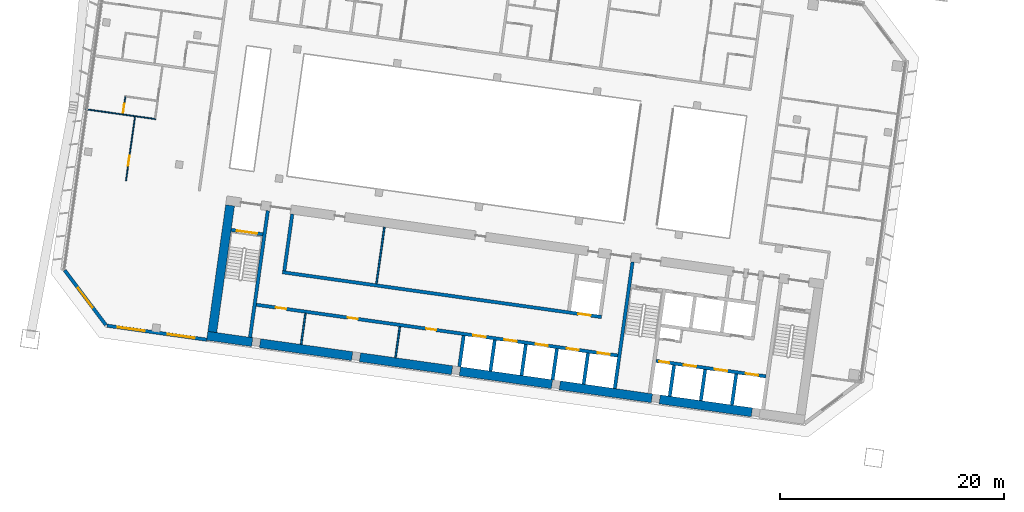
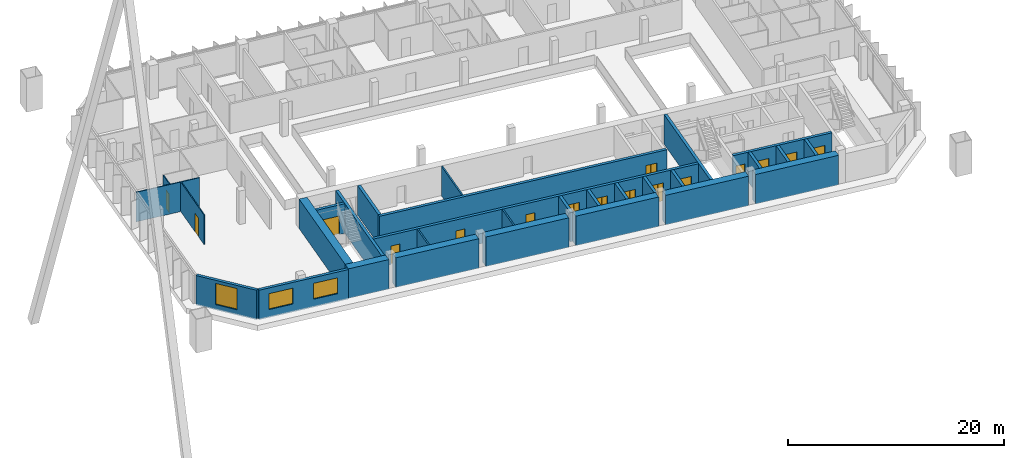
# One storey, part 21 of 33: 30 walls, 16 doors, 3 windows, 19 openings.
"""IFC4 building model written with IfcOpenShell, lengths in metres."""

from ifc_helpers import new_model, si_unit, direction, frame, frame_2d, origin, place, context, subcontext, project, spatial, rectangle, extrude, material, layer, layer_set, type_object, element, fill, save


model = new_model("IFC4")

# Units and contexts
model_context = context("Model", 3, precision=1e-05, world=origin(), true_north=direction((0.0, 1.0)))
body_context = subcontext(model_context, "Body", "Model", "MODEL_VIEW")
ifc_project = project(units=[si_unit("LENGTHUNIT", "METRE"), si_unit("AREAUNIT", "SQUARE_METRE"), si_unit("VOLUMEUNIT", "CUBIC_METRE"), si_unit("PLANEANGLEUNIT", "RADIAN"), si_unit("MASSUNIT", "GRAM", prefix="KILO")], contexts=[model_context])

# Site, building, storey
site_placement = place(None, origin())
site = spatial("IfcSite", under=ifc_project, at=site_placement, CompositionType="ELEMENT")
building_placement = place(site_placement, origin())
building = spatial("IfcBuilding", under=site, at=building_placement, Name="Mirante Cascada Hotel Towers", CompositionType="ELEMENT")
storey_placement = place(building_placement, frame((0.0, 0.0, 121.5)))
storey = spatial("IfcBuildingStorey", under=building, at=storey_placement, Name="L27", CompositionType="ELEMENT", Elevation=121.5)

# Walls
ifc_material_1 = material(Name="Masonry block", Category="masonry")
ifc_layer_1 = layer(ifc_material_1, 0.15)
ifc_layer_set_1 = layer_set([ifc_layer_1], Name="Core room partition 150 block EI 30")
wall_type_1 = type_object("IfcWallType", Name="Core room partition 150 block EI 30", PredefinedType="PARTITIONING", material=ifc_layer_set_1)
wall_1_placement = place(storey_placement, frame((-73.6152, -14.1482, 0.0), z_axis=(0.0, 0.0, 1.0), x_axis=(0.139176, 0.9902677, 0.0)))
element("IfcWall", 1, at=wall_1_placement, inside=storey, type_object=wall_type_1, Name="Core wall partition T1 L27 5", PredefinedType="PARTITIONING", context=body_context, shape_type="SweptSolid", body=[
    extrude(rectangle(XDim=2.8001, YDim=0.15, at=frame_2d((1.4, 0.0))), origin(), (0.0, 0.0, 1.0), 3.35),
])
wall_2_placement = place(storey_placement, frame((-82.0324, -12.9652, 0.0), z_axis=(0.0, 0.0, 1.0), x_axis=(0.139141, 0.9902726, 0.0)))
element("IfcWall", 2, at=wall_2_placement, inside=storey, type_object=wall_type_1, Name="Core wall partition T1 L27 6", PredefinedType="PARTITIONING", context=body_context, shape_type="SweptSolid", body=[
    extrude(rectangle(XDim=2.8, YDim=0.15, at=frame_2d((1.4, 0.0))), origin(), (0.0, 0.0, 1.0), 3.35),
])
wall_3_placement = place(storey_placement, frame((-75.3131, -7.5476, 0.0), z_axis=(0.0, 0.0, 1.0), x_axis=(0.1391782, 0.9902673, 0.0)))
element("IfcWall", 3, at=wall_3_placement, inside=storey, type_object=wall_type_1, Name="Core wall partition T1 L27 7", PredefinedType="PARTITIONING", context=body_context, shape_type="SweptSolid", body=[
    extrude(rectangle(XDim=5.0999, YDim=0.15, at=frame_2d((2.55, 0.0))), origin(), (0.0, 0.0, 1.0), 3.35),
])
ifc_material_2 = material(Name="Plasterboard on metal studs")
ifc_layer_2 = layer(ifc_material_2, 0.1)
ifc_layer_set_2 = layer_set([ifc_layer_2], Name="Partition 100")
wall_type_2 = type_object("IfcWallType", Name="Partition 100", PredefinedType="PARTITIONING", material=ifc_layer_set_2)
wall_4_placement = place(storey_placement, frame((-95.0111, 7.1367, 0.0), z_axis=(0.0, 0.0, 1.0), x_axis=(-0.990267, 0.139181, 0.0)))
element("IfcWall", 4, at=wall_4_placement, inside=storey, type_object=wall_type_2, Name="Wall 1-L27-04", PredefinedType="PARTITIONING", context=body_context, shape_type="SweptSolid", body=[
    extrude(rectangle(XDim=6.35, YDim=0.1, at=frame_2d((3.175, 0.0))), origin(), (0.0, 0.0, 1.0), 3.35),
])

# Wall, opening, door
wall_5_placement = place(storey_placement, frame((-97.6503, 1.6506, 0.0), z_axis=(0.0, 0.0, 1.0), x_axis=(0.139164, 0.9902694, 0.0)))
wall_5 = element("IfcWall", 5, at=wall_5_placement, inside=storey, type_object=wall_type_2, Name="Wall 1-L27-60", PredefinedType="PARTITIONING", context=body_context, shape_type="SweptSolid", body=[
    extrude(rectangle(XDim=5.7501, YDim=0.1, at=frame_2d((2.875, 0.0))), origin(), (0.0, 0.0, 1.0), 3.35),
])
opening_1_placement = place(wall_5_placement, frame((1.3333, 0.0, 0.0)))
opening_1 = element("IfcOpeningElement", 6, at=opening_1_placement, cuts=wall_5, Name="Opening D1-L27-39", PredefinedType="OPENING", context=body_context, shape_type="SweptSolid", body=[
    extrude(rectangle(XDim=0.9, YDim=2.1, at=frame_2d((0.45, 1.05))), frame((0.0, 0.05, 0.0), z_axis=(0.0, -1.0, 0.0), x_axis=(1.0, 0.0, 0.0)), (0.0, 0.0, 1.0), 0.1),
])
ifc_material_3 = material(Name="Timber door leaf", Category="wood")
door_type_1 = type_object("IfcDoorType", Name="Room door DG3 900x2100", OperationType="SINGLE_SWING_LEFT", PredefinedType="DOOR", material=ifc_material_3)
door_1_placement = place(opening_1_placement, frame((0.9, 0.0, 0.0), z_axis=(0.0, 0.0, 1.0), x_axis=(-1.0, 0.0, 0.0)))
door_1 = element("IfcDoor", 7, at=door_1_placement, inside=storey, type_object=door_type_1, Name="Door D1-L27-39", OperationType="SINGLE_SWING_RIGHT", OverallHeight=2.1, OverallWidth=0.9, PredefinedType="DOOR", context=body_context, shape_type="SweptSolid", body=[
    extrude(rectangle(XDim=0.9, YDim=2.1, at=frame_2d((0.45, 1.05))), frame((0.0, 0.025, 0.0), z_axis=(0.0, -1.0, 0.0), x_axis=(1.0, 0.0, 0.0)), (0.0, 0.0, 1.0), 0.05),
])
fill(opening_1, door_1)

wall_6_placement = place(storey_placement, frame((-97.9254, 7.5968, 0.0), z_axis=(0.0, 0.0, 1.0), x_axis=(0.1391749, 0.9902678, 0.0)))
wall_6 = element("IfcWall", 8, at=wall_6_placement, inside=storey, type_object=wall_type_2, Name="Wall 1-L27-62", PredefinedType="PARTITIONING", context=body_context, shape_type="SweptSolid", body=[
    extrude(rectangle(XDim=1.5333, YDim=0.1, at=frame_2d((0.7667, 0.0))), origin(), (0.0, 0.0, 1.0), 3.35),
])
opening_2_placement = place(wall_6_placement, frame((0.1, 0.0, 0.0)))
opening_2 = element("IfcOpeningElement", 9, at=opening_2_placement, cuts=wall_6, Name="Opening D1-L27-41", PredefinedType="OPENING", context=body_context, shape_type="SweptSolid", body=[
    extrude(rectangle(XDim=0.8, YDim=2.1, at=frame_2d((0.4, 1.05))), frame((0.0, 0.05, 0.0), z_axis=(0.0, -1.0, 0.0), x_axis=(1.0, 0.0, 0.0)), (0.0, 0.0, 1.0), 0.1),
])
ifc_material_4 = material(Name="Timber door leaf", Category="wood")
door_type_2 = type_object("IfcDoorType", Name="Bathroom door DG4 800x2100", OperationType="SINGLE_SWING_LEFT", PredefinedType="DOOR", material=ifc_material_4)
door_2_placement = place(opening_2_placement, origin())
door_2 = element("IfcDoor", 10, at=door_2_placement, inside=storey, type_object=door_type_2, Name="Door D1-L27-41", OperationType="SINGLE_SWING_LEFT", OverallHeight=2.1, OverallWidth=0.8, PredefinedType="DOOR", context=body_context, shape_type="SweptSolid", body=[
    extrude(rectangle(XDim=0.8, YDim=2.1, at=frame_2d((0.4, 1.05))), frame((0.0, 0.025, 0.0), z_axis=(0.0, -1.0, 0.0), x_axis=(1.0, 0.0, 0.0)), (0.0, 0.0, 1.0), 0.05),
])
fill(opening_2, door_2)

# Wall, openings, windows
ifc_material_5 = material(Name="Precast concrete C40/50", Category="concrete")
ifc_layer_3 = layer(ifc_material_5, 0.3)
ifc_layer_set_3 = layer_set([ifc_layer_3], Name="Precast concrete C40/50 cladding wall 300")
wall_type_3 = type_object("IfcWallType", Name="Precast concrete C40/50 cladding wall 300", PredefinedType="STANDARD", material=ifc_layer_set_3)
wall_7_placement = place(storey_placement, frame((-90.4551, -12.5388, 0.0), z_axis=(0.0, 0.0, 1.0), x_axis=(-0.9902678, 0.1391749, 0.0)))
wall_7 = element("IfcWall", 11, at=wall_7_placement, inside=storey, type_object=wall_type_3, Name="Rear cladding wall T1 L27 1", PredefinedType="STANDARD", context=body_context, shape_type="SweptSolid", body=[
    extrude(rectangle(XDim=8.9758, YDim=0.3, at=frame_2d((4.4879, 0.0))), origin(), (0.0, 0.0, 1.0), 3.35),
])
opening_3_placement = place(wall_7_placement, frame((1.1012, 0.0, 0.9)))
opening_3 = element("IfcOpeningElement", 12, at=opening_3_placement, cuts=wall_7, Name="Opening W1-27-01", PredefinedType="OPENING", context=body_context, shape_type="SweptSolid", body=[
    extrude(rectangle(XDim=2.4, YDim=1.8, at=frame_2d((1.2, 0.9))), frame((0.0, 0.15, 0.0), z_axis=(0.0, -1.0, 0.0), x_axis=(1.0, 0.0, 0.0)), (0.0, 0.0, 1.0), 0.3),
])
opening_4_placement = place(wall_7_placement, frame((5.5923, 0.0, 0.9)))
opening_4 = element("IfcOpeningElement", 13, at=opening_4_placement, cuts=wall_7, Name="Opening W1-27-02", PredefinedType="OPENING", context=body_context, shape_type="SweptSolid", body=[
    extrude(rectangle(XDim=2.4, YDim=1.8, at=frame_2d((1.2, 0.9))), frame((0.0, 0.15, 0.0), z_axis=(0.0, -1.0, 0.0), x_axis=(1.0, 0.0, 0.0)), (0.0, 0.0, 1.0), 0.3),
])
ifc_material_6 = material(Name="Aluminium frame with clear double glazing", Category="aluminium")
window_type_1 = type_object("IfcWindowType", Name="Punched window 2400x1800", PartitioningType="DOUBLE_PANEL_VERTICAL", PredefinedType="WINDOW", material=ifc_material_6)
window_1_placement = place(opening_3_placement, origin())
window_1 = element("IfcWindow", 14, at=window_1_placement, inside=storey, type_object=window_type_1, Name="Window W1-27-01", OverallHeight=1.8, OverallWidth=2.4, PartitioningType="SINGLE_PANEL", PredefinedType="WINDOW", context=body_context, shape_type="SweptSolid", body=[
    extrude(rectangle(XDim=2.4, YDim=1.8, at=frame_2d((1.2, 0.9))), frame((0.0, 0.03, 0.0), z_axis=(0.0, -1.0, 0.0), x_axis=(1.0, 0.0, 0.0)), (0.0, 0.0, 1.0), 0.06),
])
fill(opening_3, window_1)
window_2_placement = place(opening_4_placement, origin())
window_2 = element("IfcWindow", 15, at=window_2_placement, inside=storey, type_object=window_type_1, Name="Window W1-27-02", OverallHeight=1.8, OverallWidth=2.4, PartitioningType="SINGLE_PANEL", PredefinedType="WINDOW", context=body_context, shape_type="SweptSolid", body=[
    extrude(rectangle(XDim=2.4, YDim=1.8, at=frame_2d((1.2, 0.9))), frame((0.0, 0.03, 0.0), z_axis=(0.0, -1.0, 0.0), x_axis=(1.0, 0.0, 0.0)), (0.0, 0.0, 1.0), 0.06),
])
fill(opening_4, window_2)

# Wall, opening, window
wall_8_placement = place(storey_placement, frame((-99.4424, -11.2313, 0.0), z_axis=(0.0, 0.0, 1.0), x_axis=(-0.6018194, 0.7986322, 0.0)))
wall_8 = element("IfcWall", 16, at=wall_8_placement, inside=storey, type_object=wall_type_3, Name="Corner cladding wall T1 L27 rear outer", PredefinedType="STANDARD", context=body_context, shape_type="SweptSolid", body=[
    extrude(rectangle(XDim=6.1155, YDim=0.3, at=frame_2d((3.0578, 0.0))), origin(), (0.0, 0.0, 1.0), 3.35),
])
opening_5_placement = place(wall_8_placement, frame((1.9576, 0.0, 0.6)))
opening_5 = element("IfcOpeningElement", 17, at=opening_5_placement, cuts=wall_8, Name="Opening W1-27-03", PredefinedType="OPENING", context=body_context, shape_type="SweptSolid", body=[
    extrude(rectangle(XDim=2.2, YDim=2.4, at=frame_2d((1.1, 1.2))), frame((0.0, 0.15, 0.0), z_axis=(0.0, -1.0, 0.0), x_axis=(1.0, 0.0, 0.0)), (0.0, 0.0, 1.0), 0.3),
])
ifc_material_7 = material(Name="Aluminium frame with clear double glazing", Category="aluminium")
window_type_2 = type_object("IfcWindowType", Name="Corner suite window 2200x2400", PartitioningType="DOUBLE_PANEL_VERTICAL", PredefinedType="WINDOW", material=ifc_material_7)
window_3_placement = place(opening_5_placement, origin())
window_3 = element("IfcWindow", 18, at=window_3_placement, inside=storey, type_object=window_type_2, Name="Window W1-27-03", OverallHeight=2.4, OverallWidth=2.2, PartitioningType="SINGLE_PANEL", PredefinedType="WINDOW", context=body_context, shape_type="SweptSolid", body=[
    extrude(rectangle(XDim=2.2, YDim=2.4, at=frame_2d((1.1, 1.2))), frame((0.0, 0.03, 0.0), z_axis=(0.0, -1.0, 0.0), x_axis=(1.0, 0.0, 0.0)), (0.0, 0.0, 1.0), 0.06),
])
fill(opening_5, window_3)

# Walls
ifc_material_8 = material(Name="Concrete C50/60", Category="concrete")
ifc_layer_4 = layer(ifc_material_8, 0.3)
ifc_layer_set_4 = layer_set([ifc_layer_4], Name="RC core wall 300 C50/60")
wall_type_4 = type_object("IfcWallType", Name="RC core wall 300 C50/60", PredefinedType="SHEAR", material=ifc_layer_set_4)
wall_9_placement = place(storey_placement, frame((-54.0574, -16.8968, 0.0), z_axis=(0.0, 0.0, 1.0), x_axis=(0.1391761, 0.9902677, 0.0)))
element("IfcWall", 19, at=wall_9_placement, inside=storey, type_object=wall_type_4, Name="Core wall T1:L27:7", PredefinedType="SHEAR", context=body_context, shape_type="SweptSolid", body=[
    extrude(rectangle(XDim=11.3999, YDim=0.3, at=frame_2d((5.7, 0.0))), origin(), (0.0, 0.0, 1.0), 3.35),
])
wall_10_placement = place(storey_placement, frame((-86.5877, -12.325, 0.0), z_axis=(0.0, 0.0, 1.0), x_axis=(0.1391749, 0.9902678, 0.0)))
element("IfcWall", 20, at=wall_10_placement, inside=storey, type_object=wall_type_4, Name="Core wall T1:L27:8", PredefinedType="SHEAR", context=body_context, shape_type="SweptSolid", body=[
    extrude(rectangle(XDim=11.4, YDim=0.3, at=frame_2d((5.7, 0.0))), origin(), (0.0, 0.0, 1.0), 3.35),
])

# Wall, opening, door
wall_11_placement = place(storey_placement, frame((-85.4489, -3.1441, 0.0), z_axis=(0.0, 0.0, 1.0), x_axis=(-0.9902697, 0.1391613, 0.0)))
wall_11 = element("IfcWall", 21, at=wall_11_placement, inside=storey, type_object=wall_type_4, Name="Core wall T1:L27:11", PredefinedType="SHEAR", context=body_context, shape_type="SweptSolid", body=[
    extrude(rectangle(XDim=2.8499, YDim=0.3, at=frame_2d((1.425, 0.0))), origin(), (0.0, 0.0, 1.0), 3.35),
])
opening_6_placement = place(wall_11_placement, frame((0.525, 0.0, 0.0)))
opening_6 = element("IfcOpeningElement", 22, at=opening_6_placement, cuts=wall_11, Name="Opening D1-27-C17", PredefinedType="OPENING", context=body_context, shape_type="SweptSolid", body=[
    extrude(rectangle(XDim=1.8, YDim=2.1, at=frame_2d((0.9, 1.05))), frame((0.0, 0.15, 0.0), z_axis=(0.0, -1.0, 0.0), x_axis=(1.0, 0.0, 0.0)), (0.0, 0.0, 1.0), 0.3),
])
ifc_material_9 = material(Name="Hollow metal fire door leaf")
door_type_3 = type_object("IfcDoorType", Name="Double fire door 1800x2100 FD60", OperationType="DOUBLE_DOOR_SINGLE_SWING", PredefinedType="DOOR", material=ifc_material_9)
door_3_placement = place(opening_6_placement, origin())
door_3 = element("IfcDoor", 23, at=door_3_placement, inside=storey, type_object=door_type_3, Name="Stair door T1 L27 17", OperationType="DOUBLE_DOOR_SINGLE_SWING", OverallHeight=2.1, OverallWidth=1.8, PredefinedType="DOOR", context=body_context, shape_type="SweptSolid", body=[
    extrude(rectangle(XDim=0.895, YDim=2.1, at=frame_2d((0.4475, 1.05))), frame((0.0, 0.025, 0.0), z_axis=(0.0, -1.0, 0.0), x_axis=(1.0, 0.0, 0.0)), (0.0, 0.0, 1.0), 0.05),
    extrude(rectangle(XDim=0.895, YDim=2.1, at=frame_2d((1.3525, 1.05))), frame((0.0, 0.025, 0.0), z_axis=(0.0, -1.0, 0.0), x_axis=(1.0, 0.0, 0.0)), (0.0, 0.0, 1.0), 0.05),
])
fill(opening_6, door_3)

# Wall, openings, doors
wall_12_placement = place(storey_placement, frame((-40.5753, -15.8126, 0.0), z_axis=(0.0, 0.0, 1.0), x_axis=(-0.9902682, 0.1391725, 0.0)))
wall_12 = element("IfcWall", 24, at=wall_12_placement, inside=storey, type_object=wall_type_4, Name="Core wall T1:L27:12", PredefinedType="SHEAR", context=body_context, shape_type="SweptSolid", body=[
    extrude(rectangle(XDim=9.8999, YDim=0.3, at=frame_2d((4.95, 0.0))), origin(), (0.0, 0.0, 1.0), 3.35),
])
opening_7_placement = place(wall_12_placement, frame((0.7, 0.0, 0.0)))
opening_7 = element("IfcOpeningElement", 25, at=opening_7_placement, cuts=wall_12, Name="Opening LD", PredefinedType="OPENING", context=body_context, shape_type="SweptSolid", body=[
    extrude(rectangle(XDim=1.1, YDim=2.1, at=frame_2d((0.55, 1.05))), frame((0.0, 0.15, 0.0), z_axis=(0.0, -1.0, 0.0), x_axis=(1.0, 0.0, 0.0)), (0.0, 0.0, 1.0), 0.3),
])
opening_8_placement = place(wall_12_placement, frame((3.5, 0.0, 0.0)))
opening_8 = element("IfcOpeningElement", 26, at=opening_8_placement, cuts=wall_12, Name="Opening LD", PredefinedType="OPENING", context=body_context, shape_type="SweptSolid", body=[
    extrude(rectangle(XDim=1.1, YDim=2.1, at=frame_2d((0.55, 1.05))), frame((0.0, 0.15, 0.0), z_axis=(0.0, -1.0, 0.0), x_axis=(1.0, 0.0, 0.0)), (0.0, 0.0, 1.0), 0.3),
])
opening_9_placement = place(wall_12_placement, frame((6.3, 0.0, 0.0)))
opening_9 = element("IfcOpeningElement", 27, at=opening_9_placement, cuts=wall_12, Name="Opening LD", PredefinedType="OPENING", context=body_context, shape_type="SweptSolid", body=[
    extrude(rectangle(XDim=1.1, YDim=2.1, at=frame_2d((0.55, 1.05))), frame((0.0, 0.15, 0.0), z_axis=(0.0, -1.0, 0.0), x_axis=(1.0, 0.0, 0.0)), (0.0, 0.0, 1.0), 0.3),
])
opening_10_placement = place(wall_12_placement, frame((8.7, 0.0, 0.0)))
opening_10 = element("IfcOpeningElement", 28, at=opening_10_placement, cuts=wall_12, Name="Opening D1-27-C22", PredefinedType="OPENING", context=body_context, shape_type="SweptSolid", body=[
    extrude(rectangle(XDim=0.9, YDim=2.1, at=frame_2d((0.45, 1.05))), frame((0.0, 0.15, 0.0), z_axis=(0.0, -1.0, 0.0), x_axis=(1.0, 0.0, 0.0)), (0.0, 0.0, 1.0), 0.3),
])
ifc_material_10 = material(Name="Hollow metal fire door leaf")
door_type_4 = type_object("IfcDoorType", Name="Fire door 900x2100 FD60", OperationType="NOTDEFINED", PredefinedType="DOOR", material=ifc_material_10)
door_4_placement = place(opening_10_placement, origin())
door_4 = element("IfcDoor", 29, at=door_4_placement, inside=storey, type_object=door_type_4, Name="Riser door T1 L27 22", OperationType="SINGLE_SWING_LEFT", OverallHeight=2.1, OverallWidth=0.9, PredefinedType="DOOR", context=body_context, shape_type="SweptSolid", body=[
    extrude(rectangle(XDim=0.9, YDim=2.1, at=frame_2d((0.45, 1.05))), frame((0.0, 0.025, 0.0), z_axis=(0.0, -1.0, 0.0), x_axis=(1.0, 0.0, 0.0)), (0.0, 0.0, 1.0), 0.05),
])
fill(opening_10, door_4)
ifc_material_11 = material(Name="Stainless steel", Category="steel")
door_type_5 = type_object("IfcDoorType", Name="Lift landing door 1100x2100 EI 120", OperationType="DOUBLE_DOOR_SLIDING", PredefinedType="DOOR", material=ifc_material_11)
door_5_placement = place(opening_7_placement, origin())
door_5 = element("IfcDoor", 30, at=door_5_placement, inside=storey, type_object=door_type_5, Name="Lift landing door HR1-1 L27", OperationType="DOUBLE_DOOR_SLIDING", OverallHeight=2.1, OverallWidth=1.1, PredefinedType="DOOR", context=body_context, shape_type="SweptSolid", body=[
    extrude(rectangle(XDim=0.545, YDim=2.1, at=frame_2d((0.2725, 1.05))), frame((0.0, 0.025, 0.0), z_axis=(0.0, -1.0, 0.0), x_axis=(1.0, 0.0, 0.0)), (0.0, 0.0, 1.0), 0.05),
    extrude(rectangle(XDim=0.545, YDim=2.1, at=frame_2d((0.8275, 1.05))), frame((0.0, 0.025, 0.0), z_axis=(0.0, -1.0, 0.0), x_axis=(1.0, 0.0, 0.0)), (0.0, 0.0, 1.0), 0.05),
])
fill(opening_7, door_5)
door_6_placement = place(opening_8_placement, origin())
door_6 = element("IfcDoor", 31, at=door_6_placement, inside=storey, type_object=door_type_5, Name="Lift landing door HR1-2 L27", OperationType="DOUBLE_DOOR_SLIDING", OverallHeight=2.1, OverallWidth=1.1, PredefinedType="DOOR", context=body_context, shape_type="SweptSolid", body=[
    extrude(rectangle(XDim=0.545, YDim=2.1, at=frame_2d((0.2725, 1.05))), frame((0.0, 0.025, 0.0), z_axis=(0.0, -1.0, 0.0), x_axis=(1.0, 0.0, 0.0)), (0.0, 0.0, 1.0), 0.05),
    extrude(rectangle(XDim=0.545, YDim=2.1, at=frame_2d((0.8275, 1.05))), frame((0.0, 0.025, 0.0), z_axis=(0.0, -1.0, 0.0), x_axis=(1.0, 0.0, 0.0)), (0.0, 0.0, 1.0), 0.05),
])
fill(opening_8, door_6)
door_7_placement = place(opening_9_placement, origin())
door_7 = element("IfcDoor", 32, at=door_7_placement, inside=storey, type_object=door_type_5, Name="Lift landing door HR1-3 L27", OperationType="DOUBLE_DOOR_SLIDING", OverallHeight=2.1, OverallWidth=1.1, PredefinedType="DOOR", context=body_context, shape_type="SweptSolid", body=[
    extrude(rectangle(XDim=0.545, YDim=2.1, at=frame_2d((0.2725, 1.05))), frame((0.0, 0.025, 0.0), z_axis=(0.0, -1.0, 0.0), x_axis=(1.0, 0.0, 0.0)), (0.0, 0.0, 1.0), 0.05),
    extrude(rectangle(XDim=0.545, YDim=2.1, at=frame_2d((0.8275, 1.05))), frame((0.0, 0.025, 0.0), z_axis=(0.0, -1.0, 0.0), x_axis=(1.0, 0.0, 0.0)), (0.0, 0.0, 1.0), 0.05),
])
fill(opening_9, door_7)

# Walls
wall_13_placement = place(storey_placement, frame((-43.61, -18.3651, 0.0), z_axis=(0.0, 0.0, 1.0), x_axis=(0.1391459, 0.9902719, 0.0)))
element("IfcWall", 33, at=wall_13_placement, inside=storey, type_object=wall_type_4, Name="Core wall T1:L27:15", PredefinedType="SHEAR", context=body_context, shape_type="SweptSolid", body=[
    extrude(rectangle(XDim=2.7999, YDim=0.3, at=frame_2d((1.4, 0.0))), origin(), (0.0, 0.0, 1.0), 3.35),
])
wall_14_placement = place(storey_placement, frame((-46.3828, -17.9754, 0.0), z_axis=(0.0, 0.0, 1.0), x_axis=(0.139181, 0.990267, 0.0)))
element("IfcWall", 34, at=wall_14_placement, inside=storey, type_object=wall_type_4, Name="Core wall T1:L27:16", PredefinedType="SHEAR", context=body_context, shape_type="SweptSolid", body=[
    extrude(rectangle(XDim=2.8, YDim=0.3, at=frame_2d((1.4, 0.0))), origin(), (0.0, 0.0, 1.0), 3.35),
])
wall_15_placement = place(storey_placement, frame((-49.1555, -17.5857, 0.0), z_axis=(0.0, 0.0, 1.0), x_axis=(0.1391459, 0.9902719, 0.0)))
element("IfcWall", 35, at=wall_15_placement, inside=storey, type_object=wall_type_4, Name="Core wall T1:L27:17", PredefinedType="SHEAR", context=body_context, shape_type="SweptSolid", body=[
    extrude(rectangle(XDim=2.7999, YDim=0.3, at=frame_2d((1.4, 0.0))), origin(), (0.0, 0.0, 1.0), 3.35),
])

# Wall, openings, doors
wall_16_placement = place(storey_placement, frame((-53.7953, -13.9547, 0.0), z_axis=(0.0, 0.0, 1.0), x_axis=(-0.990268, 0.1391733, 0.0)))
wall_16 = element("IfcWall", 36, at=wall_16_placement, inside=storey, type_object=wall_type_4, Name="Core wall T1:L27:25", PredefinedType="SHEAR", context=body_context, shape_type="SweptSolid", body=[
    extrude(rectangle(XDim=32.5501, YDim=0.3, at=frame_2d((16.275, 0.0))), origin(), (0.0, 0.0, 1.0), 3.35),
])
opening_11_placement = place(wall_16_placement, frame((0.7, 0.0, 0.0)))
opening_11 = element("IfcOpeningElement", 37, at=opening_11_placement, cuts=wall_16, Name="Opening LD", PredefinedType="OPENING", context=body_context, shape_type="SweptSolid", body=[
    extrude(rectangle(XDim=1.1, YDim=2.1, at=frame_2d((0.55, 1.05))), frame((0.0, 0.15, 0.0), z_axis=(0.0, -1.0, 0.0), x_axis=(1.0, 0.0, 0.0)), (0.0, 0.0, 1.0), 0.3),
])
opening_12_placement = place(wall_16_placement, frame((3.5, 0.0, 0.0)))
opening_12 = element("IfcOpeningElement", 38, at=opening_12_placement, cuts=wall_16, Name="Opening LD", PredefinedType="OPENING", context=body_context, shape_type="SweptSolid", body=[
    extrude(rectangle(XDim=1.1, YDim=2.1, at=frame_2d((0.55, 1.05))), frame((0.0, 0.15, 0.0), z_axis=(0.0, -1.0, 0.0), x_axis=(1.0, 0.0, 0.0)), (0.0, 0.0, 1.0), 0.3),
])
opening_13_placement = place(wall_16_placement, frame((6.3, 0.0, 0.0)))
opening_13 = element("IfcOpeningElement", 39, at=opening_13_placement, cuts=wall_16, Name="Opening LD", PredefinedType="OPENING", context=body_context, shape_type="SweptSolid", body=[
    extrude(rectangle(XDim=1.1, YDim=2.1, at=frame_2d((0.55, 1.05))), frame((0.0, 0.15, 0.0), z_axis=(0.0, -1.0, 0.0), x_axis=(1.0, 0.0, 0.0)), (0.0, 0.0, 1.0), 0.3),
])
opening_14_placement = place(wall_16_placement, frame((9.1, 0.0, 0.0)))
opening_14 = element("IfcOpeningElement", 40, at=opening_14_placement, cuts=wall_16, Name="Opening LD", PredefinedType="OPENING", context=body_context, shape_type="SweptSolid", body=[
    extrude(rectangle(XDim=1.1, YDim=2.1, at=frame_2d((0.55, 1.05))), frame((0.0, 0.15, 0.0), z_axis=(0.0, -1.0, 0.0), x_axis=(1.0, 0.0, 0.0)), (0.0, 0.0, 1.0), 0.3),
])
opening_15_placement = place(wall_16_placement, frame((11.9, 0.0, 0.0)))
opening_15 = element("IfcOpeningElement", 41, at=opening_15_placement, cuts=wall_16, Name="Opening LD", PredefinedType="OPENING", context=body_context, shape_type="SweptSolid", body=[
    extrude(rectangle(XDim=1.1, YDim=2.1, at=frame_2d((0.55, 1.05))), frame((0.0, 0.15, 0.0), z_axis=(0.0, -1.0, 0.0), x_axis=(1.0, 0.0, 0.0)), (0.0, 0.0, 1.0), 0.3),
])
opening_16_placement = place(wall_16_placement, frame((16.35, 0.0, 0.0)))
opening_16 = element("IfcOpeningElement", 42, at=opening_16_placement, cuts=wall_16, Name="Opening D1-27-C26", PredefinedType="OPENING", context=body_context, shape_type="SweptSolid", body=[
    extrude(rectangle(XDim=0.9, YDim=2.1, at=frame_2d((0.45, 1.05))), frame((0.0, 0.15, 0.0), z_axis=(0.0, -1.0, 0.0), x_axis=(1.0, 0.0, 0.0)), (0.0, 0.0, 1.0), 0.3),
])
opening_17_placement = place(wall_16_placement, frame((23.4, 0.0, 0.0)))
opening_17 = element("IfcOpeningElement", 43, at=opening_17_placement, cuts=wall_16, Name="Opening D1-27-C27", PredefinedType="OPENING", context=body_context, shape_type="SweptSolid", body=[
    extrude(rectangle(XDim=0.9, YDim=2.1, at=frame_2d((0.45, 1.05))), frame((0.0, 0.15, 0.0), z_axis=(0.0, -1.0, 0.0), x_axis=(1.0, 0.0, 0.0)), (0.0, 0.0, 1.0), 0.3),
])
opening_18_placement = place(wall_16_placement, frame((29.875, 0.0, 0.0)))
opening_18 = element("IfcOpeningElement", 44, at=opening_18_placement, cuts=wall_16, Name="Opening D1-27-C28", PredefinedType="OPENING", context=body_context, shape_type="SweptSolid", body=[
    extrude(rectangle(XDim=0.9, YDim=2.1, at=frame_2d((0.45, 1.05))), frame((0.0, 0.15, 0.0), z_axis=(0.0, -1.0, 0.0), x_axis=(1.0, 0.0, 0.0)), (0.0, 0.0, 1.0), 0.3),
])
door_8_placement = place(opening_16_placement, origin())
door_8 = element("IfcDoor", 45, at=door_8_placement, inside=storey, type_object=door_type_4, Name="Room door T1 L27 26", OperationType="SINGLE_SWING_RIGHT", OverallHeight=2.1, OverallWidth=0.9, PredefinedType="DOOR", context=body_context, shape_type="SweptSolid", body=[
    extrude(rectangle(XDim=0.9, YDim=2.1, at=frame_2d((0.45, 1.05))), frame((0.0, 0.025, 0.0), z_axis=(0.0, -1.0, 0.0), x_axis=(1.0, 0.0, 0.0)), (0.0, 0.0, 1.0), 0.05),
])
fill(opening_16, door_8)
door_9_placement = place(opening_17_placement, origin())
door_9 = element("IfcDoor", 46, at=door_9_placement, inside=storey, type_object=door_type_4, Name="Room door T1 L27 27", OperationType="SINGLE_SWING_LEFT", OverallHeight=2.1, OverallWidth=0.9, PredefinedType="DOOR", context=body_context, shape_type="SweptSolid", body=[
    extrude(rectangle(XDim=0.9, YDim=2.1, at=frame_2d((0.45, 1.05))), frame((0.0, 0.025, 0.0), z_axis=(0.0, -1.0, 0.0), x_axis=(1.0, 0.0, 0.0)), (0.0, 0.0, 1.0), 0.05),
])
fill(opening_17, door_9)
door_10_placement = place(opening_18_placement, origin())
door_10 = element("IfcDoor", 47, at=door_10_placement, inside=storey, type_object=door_type_4, Name="Room door T1 L27 28", OperationType="SINGLE_SWING_LEFT", OverallHeight=2.1, OverallWidth=0.9, PredefinedType="DOOR", context=body_context, shape_type="SweptSolid", body=[
    extrude(rectangle(XDim=0.9, YDim=2.1, at=frame_2d((0.45, 1.05))), frame((0.0, 0.025, 0.0), z_axis=(0.0, -1.0, 0.0), x_axis=(1.0, 0.0, 0.0)), (0.0, 0.0, 1.0), 0.05),
])
fill(opening_18, door_10)
door_11_placement = place(opening_11_placement, origin())
door_11 = element("IfcDoor", 48, at=door_11_placement, inside=storey, type_object=door_type_5, Name="Lift landing door LR1-1 L27", OperationType="DOUBLE_DOOR_SLIDING", OverallHeight=2.1, OverallWidth=1.1, PredefinedType="DOOR", context=body_context, shape_type="SweptSolid", body=[
    extrude(rectangle(XDim=0.545, YDim=2.1, at=frame_2d((0.2725, 1.05))), frame((0.0, 0.025, 0.0), z_axis=(0.0, -1.0, 0.0), x_axis=(1.0, 0.0, 0.0)), (0.0, 0.0, 1.0), 0.05),
    extrude(rectangle(XDim=0.545, YDim=2.1, at=frame_2d((0.8275, 1.05))), frame((0.0, 0.025, 0.0), z_axis=(0.0, -1.0, 0.0), x_axis=(1.0, 0.0, 0.0)), (0.0, 0.0, 1.0), 0.05),
])
fill(opening_11, door_11)
door_12_placement = place(opening_12_placement, origin())
door_12 = element("IfcDoor", 49, at=door_12_placement, inside=storey, type_object=door_type_5, Name="Lift landing door LR1-2 L27", OperationType="DOUBLE_DOOR_SLIDING", OverallHeight=2.1, OverallWidth=1.1, PredefinedType="DOOR", context=body_context, shape_type="SweptSolid", body=[
    extrude(rectangle(XDim=0.545, YDim=2.1, at=frame_2d((0.2725, 1.05))), frame((0.0, 0.025, 0.0), z_axis=(0.0, -1.0, 0.0), x_axis=(1.0, 0.0, 0.0)), (0.0, 0.0, 1.0), 0.05),
    extrude(rectangle(XDim=0.545, YDim=2.1, at=frame_2d((0.8275, 1.05))), frame((0.0, 0.025, 0.0), z_axis=(0.0, -1.0, 0.0), x_axis=(1.0, 0.0, 0.0)), (0.0, 0.0, 1.0), 0.05),
])
fill(opening_12, door_12)
door_13_placement = place(opening_13_placement, origin())
door_13 = element("IfcDoor", 50, at=door_13_placement, inside=storey, type_object=door_type_5, Name="Lift landing door SV1-1 L27", OperationType="DOUBLE_DOOR_SLIDING", OverallHeight=2.1, OverallWidth=1.1, PredefinedType="DOOR", context=body_context, shape_type="SweptSolid", body=[
    extrude(rectangle(XDim=0.545, YDim=2.1, at=frame_2d((0.2725, 1.05))), frame((0.0, 0.025, 0.0), z_axis=(0.0, -1.0, 0.0), x_axis=(1.0, 0.0, 0.0)), (0.0, 0.0, 1.0), 0.05),
    extrude(rectangle(XDim=0.545, YDim=2.1, at=frame_2d((0.8275, 1.05))), frame((0.0, 0.025, 0.0), z_axis=(0.0, -1.0, 0.0), x_axis=(1.0, 0.0, 0.0)), (0.0, 0.0, 1.0), 0.05),
])
fill(opening_13, door_13)
door_14_placement = place(opening_14_placement, origin())
door_14 = element("IfcDoor", 51, at=door_14_placement, inside=storey, type_object=door_type_5, Name="Lift landing door SV1-2 L27", OperationType="DOUBLE_DOOR_SLIDING", OverallHeight=2.1, OverallWidth=1.1, PredefinedType="DOOR", context=body_context, shape_type="SweptSolid", body=[
    extrude(rectangle(XDim=0.545, YDim=2.1, at=frame_2d((0.2725, 1.05))), frame((0.0, 0.025, 0.0), z_axis=(0.0, -1.0, 0.0), x_axis=(1.0, 0.0, 0.0)), (0.0, 0.0, 1.0), 0.05),
    extrude(rectangle(XDim=0.545, YDim=2.1, at=frame_2d((0.8275, 1.05))), frame((0.0, 0.025, 0.0), z_axis=(0.0, -1.0, 0.0), x_axis=(1.0, 0.0, 0.0)), (0.0, 0.0, 1.0), 0.05),
])
fill(opening_14, door_14)
door_15_placement = place(opening_15_placement, origin())
door_15 = element("IfcDoor", 52, at=door_15_placement, inside=storey, type_object=door_type_5, Name="Lift landing door SV1-3 L27", OperationType="DOUBLE_DOOR_SLIDING", OverallHeight=2.1, OverallWidth=1.1, PredefinedType="DOOR", context=body_context, shape_type="SweptSolid", body=[
    extrude(rectangle(XDim=0.545, YDim=2.1, at=frame_2d((0.2725, 1.05))), frame((0.0, 0.025, 0.0), z_axis=(0.0, -1.0, 0.0), x_axis=(1.0, 0.0, 0.0)), (0.0, 0.0, 1.0), 0.05),
    extrude(rectangle(XDim=0.545, YDim=2.1, at=frame_2d((0.8275, 1.05))), frame((0.0, 0.025, 0.0), z_axis=(0.0, -1.0, 0.0), x_axis=(1.0, 0.0, 0.0)), (0.0, 0.0, 1.0), 0.05),
])
fill(opening_15, door_15)

# Walls
for number, where, z_axis, x_axis, name in (
    (53, (-56.8301, -16.5072, 0.0), (0.0, 0.0, 1.0), (0.139176, 0.9902677, 0.0), "Core wall T1:L27:26"),
    (54, (-59.6029, -16.1175, 0.0), (0.0, 0.0, 1.0), (0.139176, 0.9902677, 0.0), "Core wall T1:L27:27"),
    (55, (-62.3756, -15.7278, 0.0), (0.0, 0.0, 1.0), (0.139176, 0.9902677, 0.0), "Core wall T1:L27:28"),
    (56, (-65.1484, -15.3381, 0.0), (0.0, 0.0, 1.0), (0.139176, 0.9902677, 0.0), "Core wall T1:L27:29"),
):
    element("IfcWall", number, at=place(storey_placement, frame(where, z_axis=z_axis, x_axis=x_axis)), inside=storey, type_object=wall_type_4, Name=name, PredefinedType="SHEAR", context=body_context, shape_type="SweptSolid", body=[
        extrude(rectangle(XDim=2.8001, YDim=0.3, at=frame_2d((1.4, 0.0))), origin(), (0.0, 0.0, 1.0), 3.35),
    ])
wall_17_placement = place(storey_placement, frame((-67.9211, -14.9484, 0.0), z_axis=(0.0, 0.0, 1.0), x_axis=(0.139181, 0.990267, 0.0)))
element("IfcWall", 57, at=wall_17_placement, inside=storey, type_object=wall_type_4, Name="Core wall T1:L27:30", PredefinedType="SHEAR", context=body_context, shape_type="SweptSolid", body=[
    extrude(rectangle(XDim=2.8, YDim=0.3, at=frame_2d((1.4, 0.0))), origin(), (0.0, 0.0, 1.0), 3.35),
])

# Wall, opening, door
wall_18_placement = place(storey_placement, frame((-55.2315, -10.5214, 0.0), z_axis=(0.0, 0.0, 1.0), x_axis=(-0.9902682, 0.1391722, 0.0)))
wall_18 = element("IfcWall", 58, at=wall_18_placement, inside=storey, type_object=wall_type_4, Name="Core wall T1:L27:33", PredefinedType="SHEAR", context=body_context, shape_type="SweptSolid", body=[
    extrude(rectangle(XDim=28.75, YDim=0.3, at=frame_2d((14.375, 0.0))), origin(), (0.0, 0.0, 1.0), 3.35),
])
opening_19_placement = place(wall_18_placement, frame((1.0, 0.0, 0.0)))
opening_19 = element("IfcOpeningElement", 59, at=opening_19_placement, cuts=wall_18, Name="Opening LD", PredefinedType="OPENING", context=body_context, shape_type="SweptSolid", body=[
    extrude(rectangle(XDim=1.1, YDim=2.1, at=frame_2d((0.55, 1.05))), frame((0.0, 0.15, 0.0), z_axis=(0.0, -1.0, 0.0), x_axis=(1.0, 0.0, 0.0)), (0.0, 0.0, 1.0), 0.3),
])
door_16_placement = place(opening_19_placement, origin())
door_16 = element("IfcDoor", 60, at=door_16_placement, inside=storey, type_object=door_type_5, Name="Lift landing door LR1-3 L27", OperationType="DOUBLE_DOOR_SLIDING", OverallHeight=2.1, OverallWidth=1.1, PredefinedType="DOOR", context=body_context, shape_type="SweptSolid", body=[
    extrude(rectangle(XDim=0.545, YDim=2.1, at=frame_2d((0.2725, 1.05))), frame((0.0, 0.025, 0.0), z_axis=(0.0, -1.0, 0.0), x_axis=(1.0, 0.0, 0.0)), (0.0, 0.0, 1.0), 0.05),
    extrude(rectangle(XDim=0.545, YDim=2.1, at=frame_2d((0.8275, 1.05))), frame((0.0, 0.025, 0.0), z_axis=(0.0, -1.0, 0.0), x_axis=(1.0, 0.0, 0.0)), (0.0, 0.0, 1.0), 0.05),
])
fill(opening_19, door_16)

# Walls
wall_19_placement = place(storey_placement, frame((-83.5323, -6.3925, 0.0), z_axis=(0.0, 0.0, 1.0), x_axis=(0.1391755, 0.9902677, 0.0)))
element("IfcWall", 61, at=wall_19_placement, inside=storey, type_object=wall_type_4, Name="Core wall T1:L27:35", PredefinedType="SHEAR", context=body_context, shape_type="SweptSolid", body=[
    extrude(rectangle(XDim=5.1, YDim=0.3, at=frame_2d((2.55, 0.0))), origin(), (0.0, 0.0, 1.0), 3.35),
])
ifc_material_12 = material(Name="Concrete C50/60", Category="concrete")
ifc_layer_5 = layer(ifc_material_12, 0.8)
ifc_layer_set_5 = layer_set([ifc_layer_5], Name="RC core wall 800 C50/60")
wall_type_5 = type_object("IfcWallType", Name="RC core wall 800 C50/60", PredefinedType="SHEAR", material=ifc_layer_set_5)
for number, where, z_axis, x_axis, name in (
    (62, (-41.8337, -19.0187, 0.0), (0.0, 0.0, 1.0), (-0.9902686, 0.1391692, 0.0), "Core wall T1:L27:1.2"),
    (63, (-50.7461, -17.7661, 0.0), (0.0, 0.0, 1.0), (-0.9902686, 0.1391692, 0.0), "Core wall T1:L27:1.3"),
):
    element("IfcWall", number, at=place(storey_placement, frame(where, z_axis=z_axis, x_axis=x_axis)), inside=storey, type_object=wall_type_5, Name=name, PredefinedType="SHEAR", context=body_context, shape_type="SweptSolid", body=[
        extrude(rectangle(XDim=8.3, YDim=0.8, at=frame_2d((4.15, 0.0))), origin(), (0.0, 0.0, 1.0), 3.35),
    ])
for number, where, z_axis, x_axis, name in (
    (64, (-59.6585, -16.5136, 0.0), (0.0, 0.0, 1.0), (-0.9902672, 0.1391793, 0.0), "Core wall T1:L27:1.4"),
    (65, (-68.5709, -15.261, 0.0), (0.0, 0.0, 1.0), (-0.9902689, 0.1391675, 0.0), "Core wall T1:L27:1.5"),
):
    element("IfcWall", number, at=place(storey_placement, frame(where, z_axis=z_axis, x_axis=x_axis)), inside=storey, type_object=wall_type_5, Name=name, PredefinedType="SHEAR", context=body_context, shape_type="SweptSolid", body=[
        extrude(rectangle(XDim=8.3001, YDim=0.8, at=frame_2d((4.15, 0.0))), origin(), (0.0, 0.0, 1.0), 3.35),
    ])
wall_20_placement = place(storey_placement, frame((-77.4834, -14.0085, 0.0), z_axis=(0.0, 0.0, 1.0), x_axis=(-0.990267, 0.139181, 0.0)))
element("IfcWall", 66, at=wall_20_placement, inside=storey, type_object=wall_type_5, Name="Core wall T1:L27:1.6", PredefinedType="SHEAR", context=body_context, shape_type="SweptSolid", body=[
    extrude(rectangle(XDim=8.3, YDim=0.8, at=frame_2d((4.15, 0.0))), origin(), (0.0, 0.0, 1.0), 3.35),
])
wall_21_placement = place(storey_placement, frame((-86.3958, -12.7559, 0.0), z_axis=(0.0, 0.0, 1.0), x_axis=(-0.9902665, 0.1391845, 0.0)))
element("IfcWall", 67, at=wall_21_placement, inside=storey, type_object=wall_type_5, Name="Core wall T1:L27:1.7", PredefinedType="SHEAR", context=body_context, shape_type="SweptSolid", body=[
    extrude(rectangle(XDim=4.05, YDim=0.8, at=frame_2d((2.025, 0.0))), origin(), (0.0, 0.0, 1.0), 3.35),
])
wall_22_placement = place(storey_placement, frame((-89.9546, -11.8518, 0.0), z_axis=(0.0, 0.0, 1.0), x_axis=(0.1391761, 0.9902677, 0.0)))
element("IfcWall", 68, at=wall_22_placement, inside=storey, type_object=wall_type_5, Name="Core wall T1:L27:4", PredefinedType="SHEAR", context=body_context, shape_type="SweptSolid", body=[
    extrude(rectangle(XDim=11.3999, YDim=0.8, at=frame_2d((5.7, 0.0))), origin(), (0.0, 0.0, 1.0), 3.35),
])

save(model, "model.ifc")
